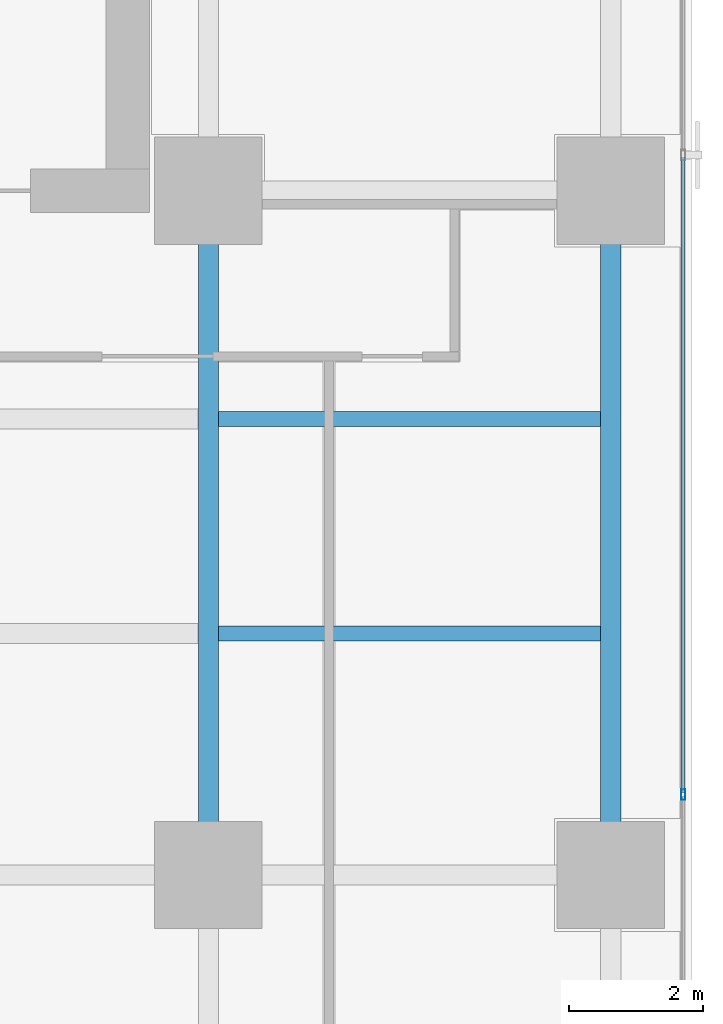
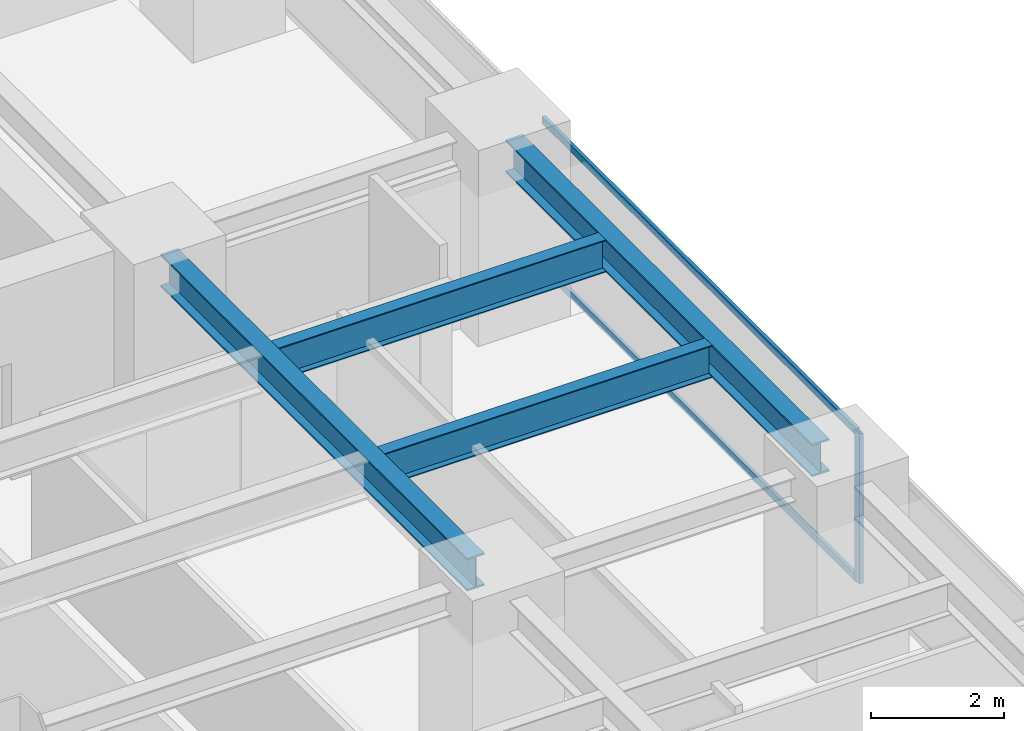
# One storey, part 13 of 29: 4 beams, 3 members, 1 element without a shape of its own.
"""IFC4 building model written with IfcOpenShell, lengths in metres."""

from ifc_helpers import new_model, si_unit, direction, frame, origin, origin_2d, place, context, subcontext, project, spatial, hollow_rectangle, i_section, extrude, source, transform, mapped, material, layer, layer_set, material_profile, profile_set, type_object, element, aggregate, save


model = new_model("IFC4")

# Units and contexts
model_context = context("Model", 3, precision=1e-05, world=origin(), true_north=direction((0.0, 1.0)))
body_context = subcontext(model_context, "Body", "Model", "MODEL_VIEW")
ifc_project = project(units=[si_unit("LENGTHUNIT", "METRE"), si_unit("AREAUNIT", "SQUARE_METRE"), si_unit("VOLUMEUNIT", "CUBIC_METRE"), si_unit("PLANEANGLEUNIT", "RADIAN"), si_unit("MASSUNIT", "GRAM", prefix="KILO")], contexts=[model_context])

# Site, building, storey
site_placement = place(None, origin())
site = spatial("IfcSite", under=ifc_project, at=site_placement, CompositionType="ELEMENT")
building_placement = place(site_placement, origin())
building = spatial("IfcBuilding", under=site, at=building_placement, Name="Sumidabori Civic Tower", CompositionType="ELEMENT")
storey_placement = place(building_placement, frame((0.0, 0.0, 131.60009765625)))
storey = spatial("IfcBuildingStorey", under=building, at=storey_placement, Name="L33", CompositionType="ELEMENT", Elevation=131.60009765625)

# Beams
ifc_material_1 = material(Name="Steel SN490", Category="steel")
ifc_material_profile_1 = material_profile(ifc_material_1, i_section(OverallWidth=0.300048828125, OverallDepth=0.60009765625, WebThickness=0.015380859375, FlangeThickness=0.030029296875, at=origin_2d()), Name="HE 600 B")
ifc_profile_set_1 = profile_set([ifc_material_profile_1], Name="Steel SN490")
beam_type_1 = type_object("IfcBeamType", Name="BM-GIRD-600", PredefinedType="BEAM", material=ifc_profile_set_1)
shared_shape_1 = source(origin(), body_context, "Body", "SweptSolid", [
    extrude(i_section(OverallWidth=0.300048828125, OverallDepth=0.60009765625, WebThickness=0.015380859375, FlangeThickness=0.030029296875, at=origin_2d()), origin(), (0.0, 0.0, 1.0), 9.239990234375),
])
for number, where, z_axis, x_axis, name in (
    (1, (16.800048828125, 0.47998046875, 3.079833984375), (0.0, 1.0, 0.0), (-1.0, 0.0, 0.0), "Primary Girder L33 GY-34"),
    (2, (22.800048828125, 0.47998046875, 3.079833984375), (0.0, 1.0, 0.0), (-1.0, 0.0, 0.0), "Primary Girder L33 GY-37"),
):
    element("IfcBeam", number, at=place(storey_placement, frame(where, z_axis=z_axis, x_axis=x_axis)), inside=storey, type_object=beam_type_1, Name=name, PredefinedType="BEAM", context=body_context, shape_type="MappedRepresentation", body=[
        mapped(shared_shape_1, transform((0.0, 0.0, 0.0), x_axis=(1.0, 0.0, 0.0), y_axis=(0.0, 1.0, 0.0), z_axis=(0.0, 0.0, 1.0), scale=1.0)),
    ])
ifc_material_profile_2 = material_profile(ifc_material_1, i_section(OverallWidth=0.219970703125, OverallDepth=0.60009765625, WebThickness=0.011962890625, FlangeThickness=0.01904296875, at=origin_2d()), Name="IPE 600")
ifc_profile_set_2 = profile_set([ifc_material_profile_2], Name="Steel SN490")
beam_type_2 = type_object("IfcBeamType", Name="BM-JST-600", PredefinedType="JOIST", material=ifc_profile_set_2)
shared_shape_2 = source(origin(), body_context, "Body", "SweptSolid", [
    extrude(i_section(OverallWidth=0.219970703125, OverallDepth=0.60009765625, WebThickness=0.011962890625, FlangeThickness=0.01904296875, at=origin_2d()), origin(), (0.0, 0.0, 1.0), 5.699951171875),
])
for number, where, z_axis, x_axis, name in (
    (3, (16.949951171875, 3.60009765625, 3.079833984375), (1.0, 0.0, 0.0), (0.0, 1.0, 0.0), "Outer Bay Floor Joist L33 JSTO-44"),
    (4, (16.949951171875, 6.800048828125, 3.079833984375), (1.0, 0.0, 0.0), (0.0, 1.0, 0.0), "Outer Bay Floor Joist L33 JSTO-46"),
):
    element("IfcBeam", number, at=place(storey_placement, frame(where, z_axis=z_axis, x_axis=x_axis)), inside=storey, type_object=beam_type_2, Name=name, PredefinedType="JOIST", context=body_context, shape_type="MappedRepresentation", body=[
        mapped(shared_shape_2, transform((0.0, 0.0, 0.0), x_axis=(1.0, 0.0, 0.0), y_axis=(0.0, 1.0, 0.0), z_axis=(0.0, 0.0, 1.0), scale=1.0)),
    ])

# Curtain wall, members
ifc_material_2 = material(Name="Anodised Bronze Aluminium AW-6063-T6", Category="aluminium")
ifc_layer = layer(ifc_material_2, 0.179931640625, Name="Anodised Bronze Aluminium AW-6063-T6")
ifc_layer_set = layer_set([ifc_layer], Name="Anodised Bronze Aluminium AW-6063-T6")
curtain_wall_type = type_object("IfcCurtainWallType", Name="CW-SYS-3", PredefinedType="NOTDEFINED", material=ifc_layer_set)
curtain_wall_placement = place(storey_placement, origin())
curtain_wall = element("IfcCurtainWall", 5, at=curtain_wall_placement, inside=storey, type_object=curtain_wall_type, Name="Curtain Wall CW:L33:R04", PredefinedType="NOTDEFINED")
ifc_material_profile_3 = material_profile(ifc_material_2, hollow_rectangle(XDim=0.06494140625, YDim=0.159912109375, WallThickness=0.0048828125, at=origin_2d()), Name="ALU MULLION 160x65")
ifc_profile_set_3 = profile_set([ifc_material_profile_3], Name="Anodised Bronze Aluminium AW-6063-T6")
member_type_1 = type_object("IfcMemberType", Name="CW-MUL-160", PredefinedType="MULLION", material=ifc_profile_set_3)
shared_shape_3 = source(origin(), body_context, "Body", "SweptSolid", [
    extrude(hollow_rectangle(XDim=0.06494140625, YDim=0.159912109375, WallThickness=0.0048828125, at=origin_2d()), origin(), (0.0, 0.0, 1.0), 2.760009765625),
])
member_1_placement = place(storey_placement, frame((23.8798828125, 1.199951171875, 0.0), z_axis=(0.0, 0.0, 1.0), x_axis=(-1.0, 0.0, 0.0)))
member_1 = element("IfcMember", 6, at=member_1_placement, type_object=member_type_1, Name="CW-3 mullion 3", PredefinedType="MULLION", context=body_context, shape_type="MappedRepresentation", body=[
    mapped(shared_shape_3, transform((0.0, 0.0, 0.0), x_axis=(1.0, 0.0, 0.0), y_axis=(0.0, 1.0, 0.0), z_axis=(0.0, 0.0, 1.0), scale=1.0)),
])
ifc_material_profile_4 = material_profile(ifc_material_2, hollow_rectangle(XDim=0.06005859375, YDim=0.1298828125, WallThickness=0.0048828125, at=origin_2d()), Name="ALU TRANSOM 130x60")
ifc_profile_set_4 = profile_set([ifc_material_profile_4], Name="Anodised Bronze Aluminium AW-6063-T6")
member_type_2 = type_object("IfcMemberType", Name="CW-TRN-130", PredefinedType="USERDEFINED", material=ifc_profile_set_4)
shared_shape_4 = source(origin(), body_context, "Body", "SweptSolid", [
    extrude(hollow_rectangle(XDim=0.06005859375, YDim=0.1298828125, WallThickness=0.0048828125, at=origin_2d()), origin(), (0.0, 0.0, 1.0), 9.469970703125),
])
member_2_placement = place(storey_placement, frame((23.8798828125, 1.232421875, 0.02978515625), z_axis=(0.0, 1.0, 0.0), x_axis=(-1.0, 0.0, 0.0)))
member_2 = element("IfcMember", 7, at=member_2_placement, type_object=member_type_2, Name="CW-3 transom 3.1", ObjectType="TRANSOM", PredefinedType="USERDEFINED", context=body_context, shape_type="MappedRepresentation", body=[
    mapped(shared_shape_4, transform((0.0, 0.0, 0.0), x_axis=(1.0, 0.0, 0.0), y_axis=(0.0, 1.0, 0.0), z_axis=(0.0, 0.0, 1.0), scale=1.0)),
])
member_3_placement = place(storey_placement, frame((23.8798828125, 1.232421875, 2.72998046875), z_axis=(0.0, 1.0, 0.0), x_axis=(-1.0, 0.0, 0.0)))
member_3 = element("IfcMember", 8, at=member_3_placement, type_object=member_type_2, Name="CW-3 transom 3.2", ObjectType="TRANSOM", PredefinedType="USERDEFINED", context=body_context, shape_type="MappedRepresentation", body=[
    mapped(shared_shape_4, transform((0.0, 0.0, 0.0), x_axis=(1.0, 0.0, 0.0), y_axis=(0.0, 1.0, 0.0), z_axis=(0.0, 0.0, 1.0), scale=1.0)),
])
aggregate(curtain_wall, [member_1, member_2, member_3])

save(model, "model.ifc")
